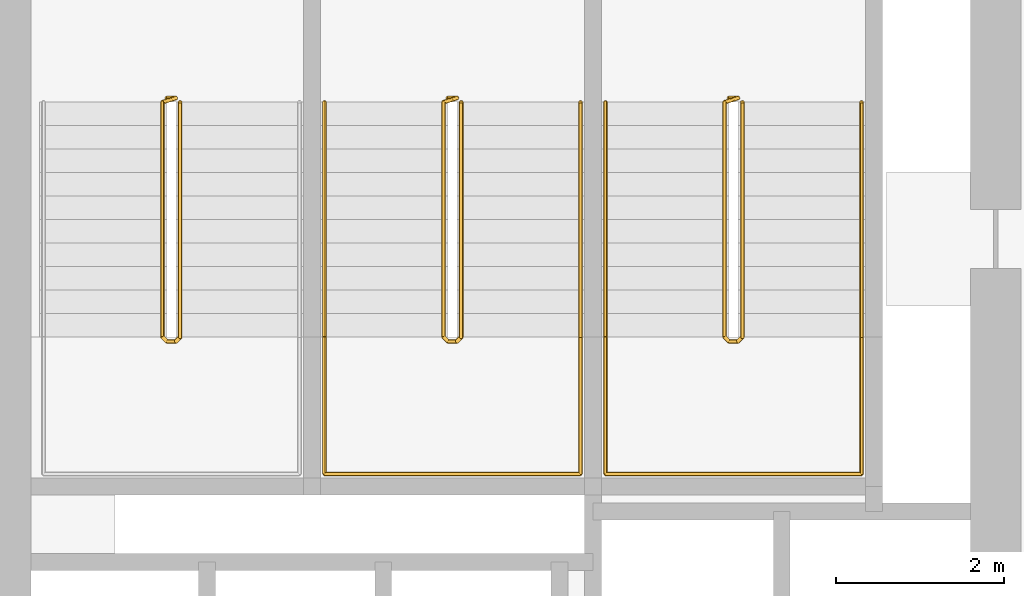
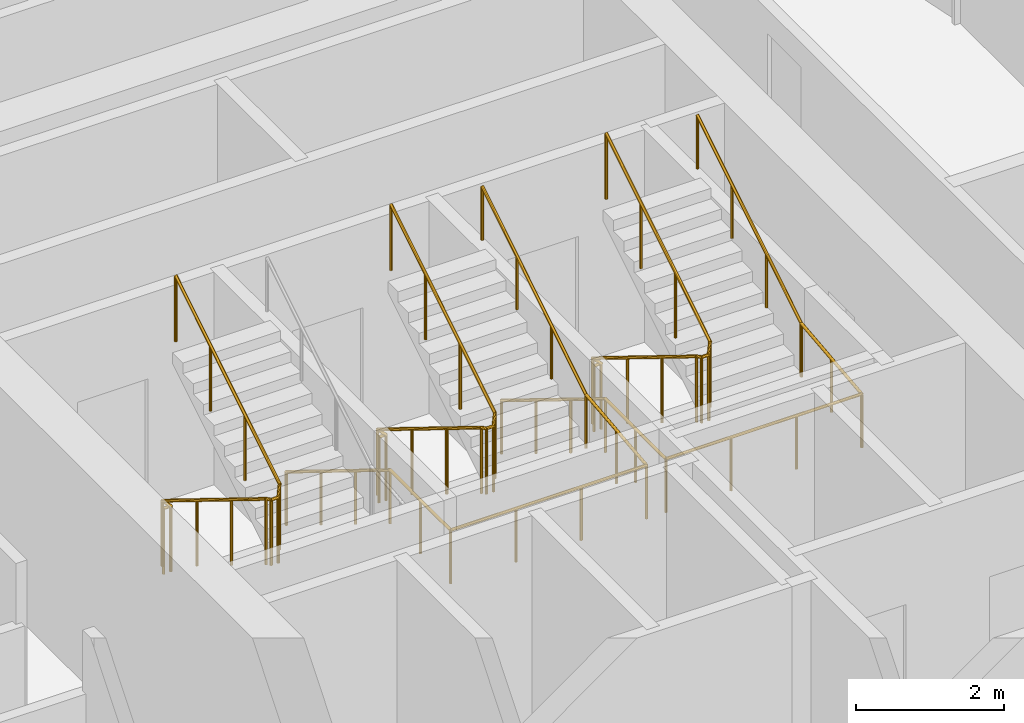
# One storey, part 24 of 24: 5 railings.
"""IFC4 building model written with IfcOpenShell, lengths in metres."""

from ifc_helpers import new_model, si_unit, direction, frame, origin, origin_2d, place, context, subcontext, project, spatial, circle, extrude, material, type_object, element, save


model = new_model("IFC4")

# Units and contexts
model_context = context("Model", 3, precision=1e-05, world=origin(), true_north=direction((0.0, 1.0)))
body_context = subcontext(model_context, "Body", "Model", "MODEL_VIEW")
ifc_project = project(units=[si_unit("LENGTHUNIT", "METRE"), si_unit("AREAUNIT", "SQUARE_METRE"), si_unit("VOLUMEUNIT", "CUBIC_METRE"), si_unit("PLANEANGLEUNIT", "RADIAN"), si_unit("MASSUNIT", "GRAM", prefix="KILO")], contexts=[model_context])

# Site, building, storey
site_placement = place(None, origin())
site = spatial("IfcSite", under=ifc_project, at=site_placement, CompositionType="ELEMENT")
building_placement = place(site_placement, origin())
building = spatial("IfcBuilding", under=site, at=building_placement, Name="Tessera Arch", CompositionType="ELEMENT")
storey_placement = place(building_placement, frame((0.0, 0.0, 112.0)))
storey = spatial("IfcBuildingStorey", under=building, at=storey_placement, Name="L26", CompositionType="ELEMENT", Elevation=112.0)

# Railings
ifc_material_1 = material(Name="Painted steel balustrade", Category="steel")
railing_type_1 = type_object("IfcRailingType", Name="Stair guard 1100", PredefinedType="GUARDRAIL", material=ifc_material_1)
railing_1_placement = place(storey_placement, frame((38.219970703125, 43.6298828125, 0.0)))
element("IfcRailing", 1, at=railing_1_placement, inside=storey, type_object=railing_type_1, Name="L26 S1a stair guard 1", PredefinedType="GUARDRAIL", context=body_context, shape_type="SweptSolid", body=[
    extrude(circle(Radius=0.02392578125, at=origin_2d()), frame((-0.00390625, 0.0, 1.076171875), z_axis=(1.0, 0.0, 0.0), x_axis=(0.0, 1.0, 0.0)), (0.0, 0.0, 1.0), 0.1181640625),
    extrude(circle(Radius=0.02392578125, at=origin_2d()), frame((0.11279296875, 0.000732421875, 1.0732421875), z_axis=(-0.665449600336, -0.206938595226, 0.717184249143), x_axis=(0.296948579431, -0.954893471113, 0.0)), (0.0, 0.0, 1.0), 0.248779296875),
    extrude(circle(Radius=0.02392578125, at=origin_2d()), frame((-0.050048828125, -0.04638671875, 1.24658203125), z_axis=(0.0, -0.851089632645, 0.525020415988), x_axis=(1.0, 0.0, 0.0)), (0.0, 0.0, 1.0), 3.2978515625),
    extrude(circle(Radius=0.02392578125, at=origin_2d()), frame((-0.052978515625, -2.846923828125, 2.97607421875), z_axis=(0.707106781187, -0.707106781187, 0.0), x_axis=(0.707106781187, 0.707106781187, 0.0)), (0.0, 0.0, 1.0), 0.078857421875),
    extrude(circle(Radius=0.02392578125, at=origin_2d()), frame((-0.00390625, -2.89990234375, 2.97607421875), z_axis=(1.0, 0.0, 0.0), x_axis=(0.0, 1.0, 0.0)), (0.0, 0.0, 1.0), 0.1181640625),
    extrude(circle(Radius=0.02392578125, at=origin_2d()), frame((0.109130859375, -2.90087890625, 2.97216796875), z_axis=(0.266739603011, 0.268047150085, 0.925743328097), x_axis=(-0.708833529934, 0.705375805398, 0.0)), (0.0, 0.0, 1.0), 0.19482421875),
    extrude(circle(Radius=0.02392578125, at=origin_2d()), frame((0.159912109375, -2.853271484375, 3.146728515625), z_axis=(0.0, 0.851089632645, 0.525020415988), x_axis=(-1.0, 0.0, 0.0)), (0.0, 0.0, 1.0), 3.2978515625),
    extrude(circle(Radius=0.02099609375, at=origin_2d()), origin(), (0.0, 0.0, 1.0), 1.06396484375),
    extrude(circle(Radius=0.02099609375, at=origin_2d()), frame((0.110107421875, 0.0, 0.0)), (0.0, 0.0, 1.0), 1.06396484375),
    extrude(circle(Radius=0.02099609375, at=origin_2d()), frame((-0.050048828125, -0.0498046875, 0.172607421875)), (0.0, 0.0, 1.0), 1.06396484375),
    extrude(circle(Radius=0.02099609375, at=origin_2d()), frame((-0.050048828125, -0.983154296875, 0.748291015625)), (0.0, 0.0, 1.0), 1.06396484375),
    extrude(circle(Radius=0.02099609375, at=origin_2d()), frame((-0.050048828125, -1.91650390625, 1.32421875)), (0.0, 0.0, 1.0), 1.06396484375),
    extrude(circle(Radius=0.02099609375, at=origin_2d()), frame((-0.050048828125, -2.849853515625, 1.89990234375)), (0.0, 0.0, 1.0), 1.06396484375),
    extrude(circle(Radius=0.02099609375, at=origin_2d()), frame((0.0, -2.89990234375, 1.89990234375)), (0.0, 0.0, 1.0), 1.06396484375),
    extrude(circle(Radius=0.02099609375, at=origin_2d()), frame((0.110107421875, -2.89990234375, 1.89990234375)), (0.0, 0.0, 1.0), 1.06396484375),
    extrude(circle(Radius=0.02099609375, at=origin_2d()), frame((0.159912109375, -2.849853515625, 2.07275390625)), (0.0, 0.0, 1.0), 1.06396484375),
    extrude(circle(Radius=0.02099609375, at=origin_2d()), frame((0.159912109375, -1.91650390625, 2.6484375)), (0.0, 0.0, 1.0), 1.06396484375),
    extrude(circle(Radius=0.02099609375, at=origin_2d()), frame((0.159912109375, -0.983154296875, 3.224365234375)), (0.0, 0.0, 1.0), 1.06396484375),
    extrude(circle(Radius=0.02099609375, at=origin_2d()), frame((0.159912109375, -0.0498046875, 3.800048828125)), (0.0, 0.0, 1.0), 1.06396484375),
])
railing_2_placement = place(storey_placement, frame((41.570068359375, 43.6298828125, 0.0)))
element("IfcRailing", 2, at=railing_2_placement, inside=storey, type_object=railing_type_1, Name="L26 S1b stair guard 1", PredefinedType="GUARDRAIL", context=body_context, shape_type="SweptSolid", body=[
    extrude(circle(Radius=0.02392578125, at=origin_2d()), frame((-0.00390625, 0.0, 1.076171875), z_axis=(1.0, 0.0, 0.0), x_axis=(0.0, 1.0, 0.0)), (0.0, 0.0, 1.0), 0.117919921875),
    extrude(circle(Radius=0.02392578125, at=origin_2d()), frame((0.112548828125, 0.000732421875, 1.0732421875), z_axis=(-0.664883824791, -0.207078321004, 0.717668494851), x_axis=(0.297361876254, -0.954764847777, 0.0)), (0.0, 0.0, 1.0), 0.24853515625),
    extrude(circle(Radius=0.02392578125, at=origin_2d()), frame((-0.050048828125, -0.04638671875, 1.24658203125), z_axis=(0.0, -0.851089632645, 0.525020415988), x_axis=(1.0, 0.0, 0.0)), (0.0, 0.0, 1.0), 3.2978515625),
    extrude(circle(Radius=0.02392578125, at=origin_2d()), frame((-0.052978515625, -2.846923828125, 2.97607421875), z_axis=(0.707106781187, -0.707106781187, 0.0), x_axis=(0.707106781187, 0.707106781187, 0.0)), (0.0, 0.0, 1.0), 0.078857421875),
    extrude(circle(Radius=0.02392578125, at=origin_2d()), frame((-0.00390625, -2.89990234375, 2.97607421875), z_axis=(1.0, 0.0, 0.0), x_axis=(0.0, 1.0, 0.0)), (0.0, 0.0, 1.0), 0.117919921875),
    extrude(circle(Radius=0.02392578125, at=origin_2d()), frame((0.10888671875, -2.90087890625, 2.97216796875), z_axis=(0.267953482034, 0.267953482034, 0.925419830635), x_axis=(-0.707106781187, 0.707106781187, 0.0)), (0.0, 0.0, 1.0), 0.19482421875),
    extrude(circle(Radius=0.02392578125, at=origin_2d()), frame((0.159912109375, -2.853271484375, 3.146728515625), z_axis=(0.0, 0.851089632645, 0.525020415988), x_axis=(-1.0, 0.0, 0.0)), (0.0, 0.0, 1.0), 3.2978515625),
    extrude(circle(Radius=0.02099609375, at=origin_2d()), origin(), (0.0, 0.0, 1.0), 1.06396484375),
    extrude(circle(Radius=0.02099609375, at=origin_2d()), frame((0.10986328125, 0.0, 0.0)), (0.0, 0.0, 1.0), 1.06396484375),
    extrude(circle(Radius=0.02099609375, at=origin_2d()), frame((-0.050048828125, -0.0498046875, 0.172607421875)), (0.0, 0.0, 1.0), 1.06396484375),
    extrude(circle(Radius=0.02099609375, at=origin_2d()), frame((-0.050048828125, -0.983154296875, 0.748291015625)), (0.0, 0.0, 1.0), 1.06396484375),
    extrude(circle(Radius=0.02099609375, at=origin_2d()), frame((-0.050048828125, -1.91650390625, 1.32421875)), (0.0, 0.0, 1.0), 1.06396484375),
    extrude(circle(Radius=0.02099609375, at=origin_2d()), frame((-0.050048828125, -2.849853515625, 1.89990234375)), (0.0, 0.0, 1.0), 1.06396484375),
    extrude(circle(Radius=0.02099609375, at=origin_2d()), frame((0.0, -2.89990234375, 1.89990234375)), (0.0, 0.0, 1.0), 1.06396484375),
    extrude(circle(Radius=0.02099609375, at=origin_2d()), frame((0.10986328125, -2.89990234375, 1.89990234375)), (0.0, 0.0, 1.0), 1.06396484375),
    extrude(circle(Radius=0.02099609375, at=origin_2d()), frame((0.159912109375, -2.849853515625, 2.07275390625)), (0.0, 0.0, 1.0), 1.06396484375),
    extrude(circle(Radius=0.02099609375, at=origin_2d()), frame((0.159912109375, -1.91650390625, 2.6484375)), (0.0, 0.0, 1.0), 1.06396484375),
    extrude(circle(Radius=0.02099609375, at=origin_2d()), frame((0.159912109375, -0.983154296875, 3.224365234375)), (0.0, 0.0, 1.0), 1.06396484375),
    extrude(circle(Radius=0.02099609375, at=origin_2d()), frame((0.159912109375, -0.0498046875, 3.800048828125)), (0.0, 0.0, 1.0), 1.06396484375),
])
railing_3_placement = place(storey_placement, frame((44.919921875, 43.6298828125, 0.0)))
element("IfcRailing", 3, at=railing_3_placement, inside=storey, type_object=railing_type_1, Name="L26 S1c stair guard 1", PredefinedType="GUARDRAIL", context=body_context, shape_type="SweptSolid", body=[
    extrude(circle(Radius=0.02392578125, at=origin_2d()), frame((-0.00390625, 0.0, 1.076171875), z_axis=(1.0, 0.0, 0.0), x_axis=(0.0, 1.0, 0.0)), (0.0, 0.0, 1.0), 0.1181640625),
    extrude(circle(Radius=0.02392578125, at=origin_2d()), frame((0.11279296875, 0.000732421875, 1.0732421875), z_axis=(-0.664883824791, -0.207078321004, 0.717668494851), x_axis=(0.297361876254, -0.954764847777, 0.0)), (0.0, 0.0, 1.0), 0.24853515625),
    extrude(circle(Radius=0.02392578125, at=origin_2d()), frame((-0.0498046875, -0.04638671875, 1.24658203125), z_axis=(0.0, -0.851089632645, 0.525020415988), x_axis=(1.0, 0.0, 0.0)), (0.0, 0.0, 1.0), 3.2978515625),
    extrude(circle(Radius=0.02392578125, at=origin_2d()), frame((-0.052734375, -2.846923828125, 2.97607421875), z_axis=(0.705375805398, -0.708833529934, 0.0), x_axis=(0.708833529934, 0.705375805398, 0.0)), (0.0, 0.0, 1.0), 0.07861328125),
    extrude(circle(Radius=0.02392578125, at=origin_2d()), frame((-0.00390625, -2.89990234375, 2.97607421875), z_axis=(1.0, 0.0, 0.0), x_axis=(0.0, 1.0, 0.0)), (0.0, 0.0, 1.0), 0.1181640625),
    extrude(circle(Radius=0.02392578125, at=origin_2d()), frame((0.109130859375, -2.90087890625, 2.97216796875), z_axis=(0.267953482034, 0.267953482034, 0.925419830635), x_axis=(-0.707106781187, 0.707106781187, 0.0)), (0.0, 0.0, 1.0), 0.19482421875),
    extrude(circle(Radius=0.02392578125, at=origin_2d()), frame((0.16015625, -2.853271484375, 3.146728515625), z_axis=(0.0, 0.851089632645, 0.525020415988), x_axis=(-1.0, 0.0, 0.0)), (0.0, 0.0, 1.0), 3.2978515625),
    extrude(circle(Radius=0.02099609375, at=origin_2d()), origin(), (0.0, 0.0, 1.0), 1.06396484375),
    extrude(circle(Radius=0.02099609375, at=origin_2d()), frame((0.110107421875, 0.0, 0.0)), (0.0, 0.0, 1.0), 1.06396484375),
    extrude(circle(Radius=0.02099609375, at=origin_2d()), frame((-0.0498046875, -0.0498046875, 0.172607421875)), (0.0, 0.0, 1.0), 1.06396484375),
    extrude(circle(Radius=0.02099609375, at=origin_2d()), frame((-0.0498046875, -0.983154296875, 0.748291015625)), (0.0, 0.0, 1.0), 1.06396484375),
    extrude(circle(Radius=0.02099609375, at=origin_2d()), frame((-0.0498046875, -1.91650390625, 1.32421875)), (0.0, 0.0, 1.0), 1.06396484375),
    extrude(circle(Radius=0.02099609375, at=origin_2d()), frame((-0.0498046875, -2.849853515625, 1.89990234375)), (0.0, 0.0, 1.0), 1.06396484375),
    extrude(circle(Radius=0.02099609375, at=origin_2d()), frame((0.0, -2.89990234375, 1.89990234375)), (0.0, 0.0, 1.0), 1.06396484375),
    extrude(circle(Radius=0.02099609375, at=origin_2d()), frame((0.110107421875, -2.89990234375, 1.89990234375)), (0.0, 0.0, 1.0), 1.06396484375),
    extrude(circle(Radius=0.02099609375, at=origin_2d()), frame((0.16015625, -2.849853515625, 2.07275390625)), (0.0, 0.0, 1.0), 1.06396484375),
    extrude(circle(Radius=0.02099609375, at=origin_2d()), frame((0.16015625, -1.91650390625, 2.6484375)), (0.0, 0.0, 1.0), 1.06396484375),
    extrude(circle(Radius=0.02099609375, at=origin_2d()), frame((0.16015625, -0.983154296875, 3.224365234375)), (0.0, 0.0, 1.0), 1.06396484375),
    extrude(circle(Radius=0.02099609375, at=origin_2d()), frame((0.16015625, -0.0498046875, 3.800048828125)), (0.0, 0.0, 1.0), 1.06396484375),
])
ifc_material_2 = material(Name="Painted steel handrail", Category="steel")
railing_type_2 = type_object("IfcRailingType", Name="Stair handrail 900", PredefinedType="HANDRAIL", material=ifc_material_2)
railing_4_placement = place(storey_placement, frame((40.10009765625, 43.580078125, 0.172607421875)))
element("IfcRailing", 4, at=railing_4_placement, inside=storey, type_object=railing_type_2, Name="L26 S1b stair handrail", PredefinedType="HANDRAIL", context=body_context, shape_type="SweptSolid", body=[
    extrude(circle(Radius=0.02392578125, at=origin_2d()), frame((0.0, 0.00341796875, 0.873779296875), z_axis=(0.0, -0.851089632645, 0.525020415988), x_axis=(1.0, 0.0, 0.0)), (0.0, 0.0, 1.0), 3.2978515625),
    extrude(circle(Radius=0.02392578125, at=origin_2d()), frame((0.0, -2.796142578125, 2.60302734375), z_axis=(0.0, -1.0, 0.0), x_axis=(1.0, 0.0, 0.0)), (0.0, 0.0, 1.0), 1.63818359375),
    extrude(circle(Radius=0.02392578125, at=origin_2d()), frame((-0.00390625, -4.43017578125, 2.60302734375), z_axis=(1.0, 0.0, 0.0), x_axis=(0.0, 1.0, 0.0)), (0.0, 0.0, 1.0), 3.057861328125),
    extrude(circle(Radius=0.02392578125, at=origin_2d()), frame((3.0498046875, -4.43408203125, 2.602783203125), z_axis=(0.0, 0.994425187763, 0.105444515941), x_axis=(-1.0, 0.0, 0.0)), (0.0, 0.0, 1.0), 1.647216796875),
    extrude(circle(Radius=0.02392578125, at=origin_2d()), frame((3.0498046875, -2.803466796875, 2.77392578125), z_axis=(0.0, 0.851089632645, 0.525020415988), x_axis=(-1.0, 0.0, 0.0)), (0.0, 0.0, 1.0), 3.2978515625),
    extrude(circle(Radius=0.02099609375, at=origin_2d()), origin(), (0.0, 0.0, 1.0), 0.86376953125),
    extrude(circle(Radius=0.02099609375, at=origin_2d()), frame((0.0, -0.933349609375, 0.57568359375)), (0.0, 0.0, 1.0), 0.86376953125),
    extrude(circle(Radius=0.02099609375, at=origin_2d()), frame((0.0, -1.86669921875, 1.151611328125)), (0.0, 0.0, 1.0), 0.86376953125),
    extrude(circle(Radius=0.02099609375, at=origin_2d()), frame((0.0, -2.800048828125, 1.727294921875)), (0.0, 0.0, 1.0), 0.86376953125),
    extrude(circle(Radius=0.02099609375, at=origin_2d()), frame((0.0, -3.615234375, 1.727294921875)), (0.0, 0.0, 1.0), 0.86376953125),
    extrude(circle(Radius=0.02099609375, at=origin_2d()), frame((0.0, -4.43017578125, 1.727294921875)), (0.0, 0.0, 1.0), 0.86376953125),
    extrude(circle(Radius=0.02099609375, at=origin_2d()), frame((1.0166015625, -4.43017578125, 1.727294921875)), (0.0, 0.0, 1.0), 0.86376953125),
    extrude(circle(Radius=0.02099609375, at=origin_2d()), frame((2.033203125, -4.43017578125, 1.727294921875)), (0.0, 0.0, 1.0), 0.86376953125),
    extrude(circle(Radius=0.02099609375, at=origin_2d()), frame((3.0498046875, -4.43017578125, 1.727294921875)), (0.0, 0.0, 1.0), 0.86376953125),
    extrude(circle(Radius=0.02099609375, at=origin_2d()), frame((3.0498046875, -3.615234375, 1.813720703125)), (0.0, 0.0, 1.0), 0.86376953125),
    extrude(circle(Radius=0.02099609375, at=origin_2d()), frame((3.0498046875, -2.800048828125, 1.900146484375)), (0.0, 0.0, 1.0), 0.86376953125),
    extrude(circle(Radius=0.02099609375, at=origin_2d()), frame((3.0498046875, -1.86669921875, 2.475830078125)), (0.0, 0.0, 1.0), 0.86376953125),
    extrude(circle(Radius=0.02099609375, at=origin_2d()), frame((3.0498046875, -0.933349609375, 3.0517578125)), (0.0, 0.0, 1.0), 0.86376953125),
    extrude(circle(Radius=0.02099609375, at=origin_2d()), frame((3.0498046875, 0.0, 3.62744140625)), (0.0, 0.0, 1.0), 0.86376953125),
])
railing_5_placement = place(storey_placement, frame((43.449951171875, 43.580078125, 0.172607421875)))
element("IfcRailing", 5, at=railing_5_placement, inside=storey, type_object=railing_type_2, Name="L26 S1c stair handrail", PredefinedType="HANDRAIL", context=body_context, shape_type="SweptSolid", body=[
    extrude(circle(Radius=0.02392578125, at=origin_2d()), frame((0.0, 0.00341796875, 0.873779296875), z_axis=(0.0, -0.851089632645, 0.525020415988), x_axis=(1.0, 0.0, 0.0)), (0.0, 0.0, 1.0), 3.2978515625),
    extrude(circle(Radius=0.02392578125, at=origin_2d()), frame((0.0, -2.796142578125, 2.60302734375), z_axis=(0.0, -1.0, 0.0), x_axis=(1.0, 0.0, 0.0)), (0.0, 0.0, 1.0), 1.63818359375),
    extrude(circle(Radius=0.02392578125, at=origin_2d()), frame((-0.00390625, -4.43017578125, 2.60302734375), z_axis=(1.0, 0.0, 0.0), x_axis=(0.0, 1.0, 0.0)), (0.0, 0.0, 1.0), 3.05810546875),
    extrude(circle(Radius=0.02392578125, at=origin_2d()), frame((3.050048828125, -4.43408203125, 2.602783203125), z_axis=(0.0, 0.994425187763, 0.105444515941), x_axis=(-1.0, 0.0, 0.0)), (0.0, 0.0, 1.0), 1.647216796875),
    extrude(circle(Radius=0.02392578125, at=origin_2d()), frame((3.050048828125, -2.803466796875, 2.77392578125), z_axis=(0.0, 0.851089632645, 0.525020415988), x_axis=(-1.0, 0.0, 0.0)), (0.0, 0.0, 1.0), 3.2978515625),
    extrude(circle(Radius=0.02099609375, at=origin_2d()), origin(), (0.0, 0.0, 1.0), 0.86376953125),
    extrude(circle(Radius=0.02099609375, at=origin_2d()), frame((0.0, -0.933349609375, 0.57568359375)), (0.0, 0.0, 1.0), 0.86376953125),
    extrude(circle(Radius=0.02099609375, at=origin_2d()), frame((0.0, -1.86669921875, 1.151611328125)), (0.0, 0.0, 1.0), 0.86376953125),
    extrude(circle(Radius=0.02099609375, at=origin_2d()), frame((0.0, -2.800048828125, 1.727294921875)), (0.0, 0.0, 1.0), 0.86376953125),
    extrude(circle(Radius=0.02099609375, at=origin_2d()), frame((0.0, -3.615234375, 1.727294921875)), (0.0, 0.0, 1.0), 0.86376953125),
    extrude(circle(Radius=0.02099609375, at=origin_2d()), frame((0.0, -4.43017578125, 1.727294921875)), (0.0, 0.0, 1.0), 0.86376953125),
    extrude(circle(Radius=0.02099609375, at=origin_2d()), frame((1.0166015625, -4.43017578125, 1.727294921875)), (0.0, 0.0, 1.0), 0.86376953125),
    extrude(circle(Radius=0.02099609375, at=origin_2d()), frame((2.033447265625, -4.43017578125, 1.727294921875)), (0.0, 0.0, 1.0), 0.86376953125),
    extrude(circle(Radius=0.02099609375, at=origin_2d()), frame((3.050048828125, -4.43017578125, 1.727294921875)), (0.0, 0.0, 1.0), 0.86376953125),
    extrude(circle(Radius=0.02099609375, at=origin_2d()), frame((3.050048828125, -3.615234375, 1.813720703125)), (0.0, 0.0, 1.0), 0.86376953125),
    extrude(circle(Radius=0.02099609375, at=origin_2d()), frame((3.050048828125, -2.800048828125, 1.900146484375)), (0.0, 0.0, 1.0), 0.86376953125),
    extrude(circle(Radius=0.02099609375, at=origin_2d()), frame((3.050048828125, -1.86669921875, 2.475830078125)), (0.0, 0.0, 1.0), 0.86376953125),
    extrude(circle(Radius=0.02099609375, at=origin_2d()), frame((3.050048828125, -0.933349609375, 3.0517578125)), (0.0, 0.0, 1.0), 0.86376953125),
    extrude(circle(Radius=0.02099609375, at=origin_2d()), frame((3.050048828125, 0.0, 3.62744140625)), (0.0, 0.0, 1.0), 0.86376953125),
])

save(model, "model.ifc")
